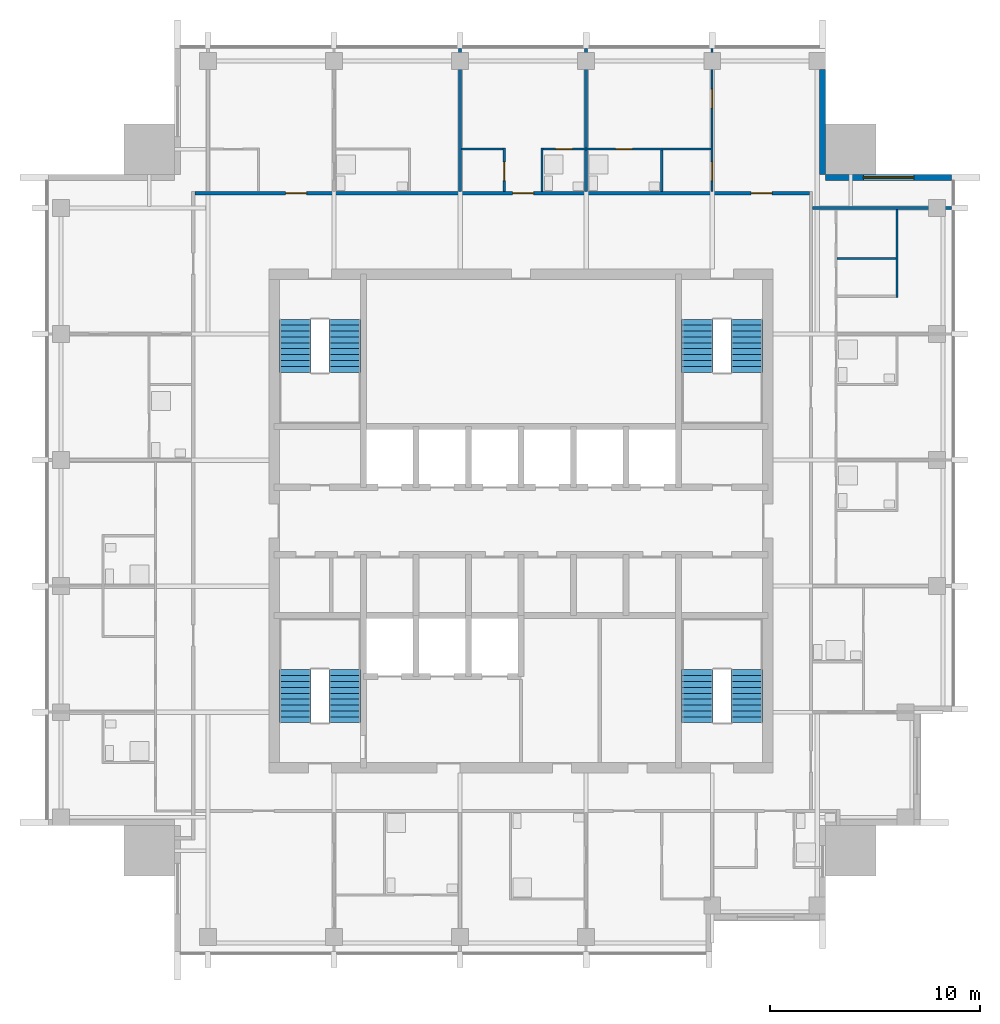
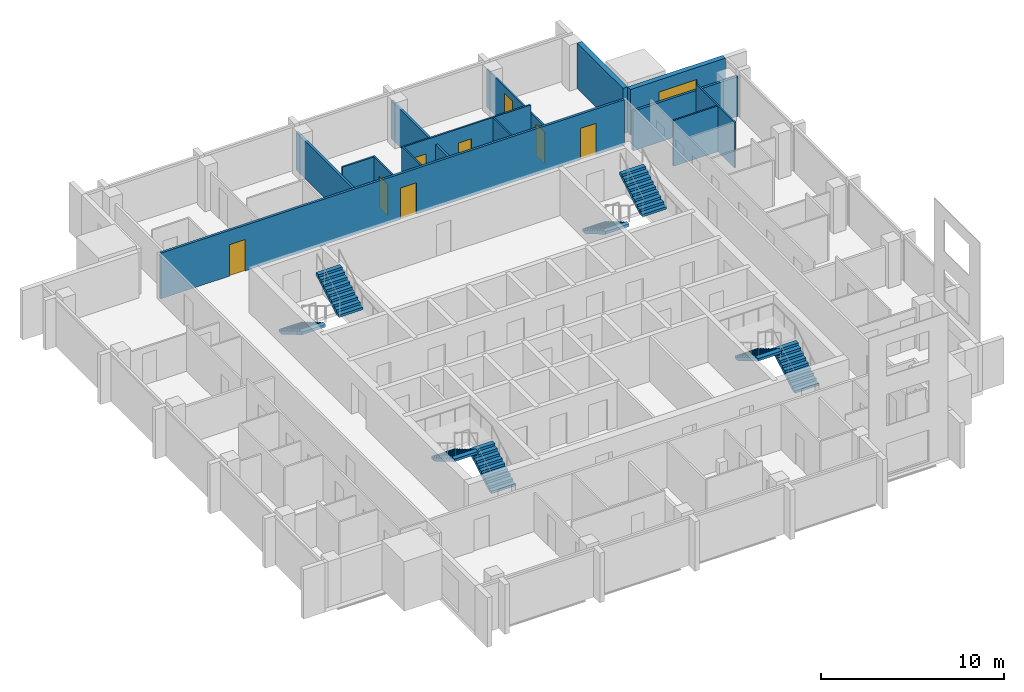
# One storey, part 7 of 9: 14 walls, 8 doors, 8 stair flights, 1 window, 9 openings, 4 elements without a shape of their own.
"""IFC4 building model written with IfcOpenShell, lengths in metres."""

from ifc_helpers import new_model, si_unit, direction, frame, frame_2d, origin, place, context, subcontext, project, spatial, polyline, rectangle, outline, extrude, material, layer, layer_set, type_object, element, fill, aggregate, save


model = new_model("IFC4")

# Units and contexts
model_context = context("Model", 3, precision=1e-05, world=origin(), true_north=direction((0.0, 1.0)))
body_context = subcontext(model_context, "Body", "Model", "MODEL_VIEW")
ifc_project = project(units=[si_unit("LENGTHUNIT", "METRE"), si_unit("AREAUNIT", "SQUARE_METRE"), si_unit("VOLUMEUNIT", "CUBIC_METRE"), si_unit("PLANEANGLEUNIT", "RADIAN"), si_unit("MASSUNIT", "GRAM", prefix="KILO")], contexts=[model_context])

# Site, building, storey
site_placement = place(None, origin())
site = spatial("IfcSite", under=ifc_project, at=site_placement, CompositionType="ELEMENT")
building_placement = place(site_placement, origin())
building = spatial("IfcBuilding", under=site, at=building_placement, Name="Amberfall Residences", CompositionType="ELEMENT")
storey_placement = place(building_placement, frame((0.0, 0.0, 258.699951171875)))
storey = spatial("IfcBuildingStorey", under=building, at=storey_placement, Name="L69", CompositionType="ELEMENT", Elevation=258.699951171875)

# Wall, opening, window
ifc_material_1 = material(Name="Pale stone cladding on insulated backing", Category="masonry")
ifc_layer_1 = layer(ifc_material_1, 0.300048828125)
ifc_layer_set_1 = layer_set([ifc_layer_1], Name="Bronze clad wall 300")
wall_type_1 = type_object("IfcWallType", Name="Bronze clad wall 300", PredefinedType="SOLIDWALL", material=ifc_layer_set_1)
wall_1_placement = place(storey_placement, frame((95.0, 61.85009765625, 0.0), z_axis=(0.0, 0.0, 1.0), x_axis=(-1.0, 0.0, 0.0)))
wall_1 = element("IfcWall", 1, at=wall_1_placement, inside=storey, type_object=wall_type_1, Name="External wall L69 NE", PredefinedType="SOLIDWALL", context=body_context, shape_type="SweptSolid", body=[
    extrude(rectangle(XDim=6.0, YDim=0.300048828125, at=frame_2d((3.0, 0.0))), origin(), (0.0, 0.0, 1.0), 3.050048828125),
])
opening_1_placement = place(wall_1_placement, frame((1.800048828125, 0.0, 0.14990234375)))
opening_1 = element("IfcOpeningElement", 2, at=opening_1_placement, cuts=wall_1, Name="Opening WN5", PredefinedType="OPENING", context=body_context, shape_type="SweptSolid", body=[
    extrude(rectangle(XDim=2.39990234375, YDim=2.10009765625, at=frame_2d((1.199951171875, 1.050048828125))), frame((0.0, 0.159912109375, 0.0), z_axis=(0.0, -1.0, 0.0), x_axis=(1.0, 0.0, 0.0)), (0.0, 0.0, 1.0), 0.320068359375),
])
ifc_material_2 = material(Name="Bronze aluminium framed glazing", Category="aluminium")
window_type = type_object("IfcWindowType", Name="Glazed opening 2400 x 2100 bronze", PartitioningType="DOUBLE_PANEL_VERTICAL", PredefinedType="WINDOW", material=ifc_material_2)
window_placement = place(opening_1_placement, origin())
window = element("IfcWindow", 3, at=window_placement, inside=storey, type_object=window_type, Name="Window L69 NE", OverallHeight=2.10009765625, OverallWidth=2.39990234375, PartitioningType="DOUBLE_PANEL_VERTICAL", PredefinedType="WINDOW", context=body_context, shape_type="SweptSolid", body=[
    extrude(rectangle(XDim=2.39990234375, YDim=2.10009765625, at=frame_2d((1.199951171875, 1.050048828125))), frame((0.0, 0.030029296875, 0.0), z_axis=(0.0, -1.0, 0.0), x_axis=(1.0, 0.0, 0.0)), (0.0, 0.0, 1.0), 0.06005859375),
])
fill(opening_1, window)

# Wall
wall_2_placement = place(storey_placement, frame((88.85009765625, 62.0, 0.0), z_axis=(0.0, 0.0, 1.0), x_axis=(0.0, 1.0, 0.0)))
element("IfcWall", 4, at=wall_2_placement, inside=storey, type_object=wall_type_1, Name="External wall L69 NE", PredefinedType="SOLIDWALL", context=body_context, shape_type="SweptSolid", body=[
    extrude(rectangle(XDim=5.0, YDim=0.300048828125, at=frame_2d((2.5, 0.0))), origin(), (0.0, 0.0, 1.0), 3.050048828125),
])

# Wall, opening, door
ifc_material_3 = material(Name="Gypsum board on metal stud")
ifc_layer_2 = layer(ifc_material_3, 0.10009765625)
ifc_layer_set_2 = layer_set([ifc_layer_2], Name="Flat partition 100")
wall_type_2 = type_object("IfcWallType", Name="Flat partition 100", PredefinedType="PARTITIONING", material=ifc_layer_set_2)
wall_3_placement = place(storey_placement, frame((73.699951171875, 61.175048828125, 0.0), z_axis=(0.0, 0.0, 1.0), x_axis=(0.0, 1.0, 0.0)))
wall_3 = element("IfcWall", 5, at=wall_3_placement, inside=storey, type_object=wall_type_2, Name="Partition 010", PredefinedType="PARTITIONING", context=body_context, shape_type="SweptSolid", body=[
    extrude(rectangle(XDim=2.074951171875, YDim=0.10009765625, at=frame_2d((1.03759765625, 0.0))), origin(), (0.0, 0.0, 1.0), 3.050048828125),
])
opening_2_placement = place(wall_3_placement, frame((0.52490234375, 0.0, 0.0)))
opening_2 = element("IfcOpeningElement", 6, at=opening_2_placement, cuts=wall_3, Name="Opening D41", PredefinedType="OPENING", context=body_context, shape_type="SweptSolid", body=[
    extrude(rectangle(XDim=0.89990234375, YDim=2.10009765625, at=frame_2d((0.449951171875, 1.050048828125))), frame((0.0, 0.06005859375, 0.0), z_axis=(0.0, -1.0, 0.0), x_axis=(1.0, 0.0, 0.0)), (0.0, 0.0, 1.0), 0.1201171875),
])
ifc_material_4 = material(Name="Timber", Category="wood")
door_type_1 = type_object("IfcDoorType", Name="Internal door 900 x 2100", OperationType="SINGLE_SWING_LEFT", PredefinedType="DOOR", material=ifc_material_4)
door_1_placement = place(opening_2_placement, origin())
door_1 = element("IfcDoor", 7, at=door_1_placement, inside=storey, type_object=door_type_1, Name="Door 6907 kitchen", OperationType="SINGLE_SWING_LEFT", OverallHeight=2.10009765625, OverallWidth=0.89990234375, PredefinedType="DOOR", context=body_context, shape_type="SweptSolid", body=[
    extrude(rectangle(XDim=0.89990234375, YDim=2.10009765625, at=frame_2d((0.449951171875, 1.050048828125))), frame((0.0, 0.02490234375, 0.0), z_axis=(0.0, -1.0, 0.0), x_axis=(1.0, 0.0, 0.0)), (0.0, 0.0, 1.0), 0.050048828125),
])
fill(opening_2, door_1)

# Walls
wall_4_placement = place(storey_placement, frame((75.5, 61.175048828125, 0.0), z_axis=(0.0, 0.0, 1.0), x_axis=(0.0, 1.0, 0.0)))
element("IfcWall", 8, at=wall_4_placement, inside=storey, type_object=wall_type_2, Name="Partition 012", PredefinedType="PARTITIONING", context=body_context, shape_type="SweptSolid", body=[
    extrude(rectangle(XDim=2.074951171875, YDim=0.10009765625, at=frame_2d((1.03759765625, 0.0))), origin(), (0.0, 0.0, 1.0), 3.050048828125),
])
wall_5_placement = place(storey_placement, frame((81.199951171875, 61.175048828125, 0.0), z_axis=(0.0, 0.0, 1.0), x_axis=(0.0, 1.0, 0.0)))
element("IfcWall", 9, at=wall_5_placement, inside=storey, type_object=wall_type_2, Name="Partition 015", PredefinedType="PARTITIONING", context=body_context, shape_type="SweptSolid", body=[
    extrude(rectangle(XDim=1.974853515625, YDim=0.10009765625, at=frame_2d((0.9873046875, 0.0))), origin(), (0.0, 0.0, 1.0), 3.050048828125),
])

# Wall, openings, doors
wall_6_placement = place(storey_placement, frame((83.60009765625, 61.175048828125, 0.0), z_axis=(0.0, 0.0, 1.0), x_axis=(0.0, 1.0, 0.0)))
wall_6 = element("IfcWall", 10, at=wall_6_placement, inside=storey, type_object=wall_type_2, Name="Partition 016", PredefinedType="PARTITIONING", context=body_context, shape_type="SweptSolid", body=[
    extrude(rectangle(XDim=6.824951171875, YDim=0.10009765625, at=frame_2d((3.41259765625, 0.0))), origin(), (0.0, 0.0, 1.0), 2.51611328125),
])
opening_3_placement = place(wall_6_placement, frame((0.52490234375, 0.0, 0.0)))
opening_3 = element("IfcOpeningElement", 11, at=opening_3_placement, cuts=wall_6, Name="Opening D41", PredefinedType="OPENING", context=body_context, shape_type="SweptSolid", body=[
    extrude(rectangle(XDim=0.89990234375, YDim=2.10009765625, at=frame_2d((0.449951171875, 1.050048828125))), frame((0.0, 0.06005859375, 0.0), z_axis=(0.0, -1.0, 0.0), x_axis=(1.0, 0.0, 0.0)), (0.0, 0.0, 1.0), 0.1201171875),
])
opening_4_placement = place(wall_6_placement, frame((3.97509765625, 0.0, 0.0)))
opening_4 = element("IfcOpeningElement", 12, at=opening_4_placement, cuts=wall_6, Name="Opening D41", PredefinedType="OPENING", context=body_context, shape_type="SweptSolid", body=[
    extrude(rectangle(XDim=0.89990234375, YDim=2.10009765625, at=frame_2d((0.449951171875, 1.050048828125))), frame((0.0, 0.06005859375, 0.0), z_axis=(0.0, -1.0, 0.0), x_axis=(1.0, 0.0, 0.0)), (0.0, 0.0, 1.0), 0.1201171875),
])
door_2_placement = place(opening_3_placement, origin())
door_2 = element("IfcDoor", 13, at=door_2_placement, inside=storey, type_object=door_type_1, Name="Door 6908 kitchen", OperationType="SINGLE_SWING_LEFT", OverallHeight=2.10009765625, OverallWidth=0.89990234375, PredefinedType="DOOR", context=body_context, shape_type="SweptSolid", body=[
    extrude(rectangle(XDim=0.89990234375, YDim=2.10009765625, at=frame_2d((0.449951171875, 1.050048828125))), frame((0.0, 0.02490234375, 0.0), z_axis=(0.0, -1.0, 0.0), x_axis=(1.0, 0.0, 0.0)), (0.0, 0.0, 1.0), 0.050048828125),
])
fill(opening_3, door_2)
door_3_placement = place(opening_4_placement, origin())
door_3 = element("IfcDoor", 14, at=door_3_placement, inside=storey, type_object=door_type_1, Name="Door 6908 bedroom1", OperationType="SINGLE_SWING_LEFT", OverallHeight=2.10009765625, OverallWidth=0.89990234375, PredefinedType="DOOR", context=body_context, shape_type="SweptSolid", body=[
    extrude(rectangle(XDim=0.89990234375, YDim=2.10009765625, at=frame_2d((0.449951171875, 1.050048828125))), frame((0.0, 0.02490234375, 0.0), z_axis=(0.0, -1.0, 0.0), x_axis=(1.0, 0.0, 0.0)), (0.0, 0.0, 1.0), 0.050048828125),
])
fill(opening_4, door_3)

# Walls
wall_7_placement = place(storey_placement, frame((92.39990234375, 56.14990234375, 0.0), z_axis=(0.0, 0.0, 1.0), x_axis=(0.0, 1.0, 0.0)))
element("IfcWall", 15, at=wall_7_placement, inside=storey, type_object=wall_type_2, Name="Partition 023", PredefinedType="PARTITIONING", context=body_context, shape_type="SweptSolid", body=[
    extrude(rectangle(XDim=4.175048828125, YDim=0.10009765625, at=frame_2d((2.08740234375, 0.0))), origin(), (0.0, 0.0, 1.0), 3.050048828125),
])
wall_8_placement = place(storey_placement, frame((71.675048828125, 63.199951171875, 0.0), z_axis=(0.0, 0.0, 1.0), x_axis=(1.0, 0.0, 0.0)))
element("IfcWall", 16, at=wall_8_placement, inside=storey, type_object=wall_type_2, Name="Partition 026", PredefinedType="PARTITIONING", context=body_context, shape_type="SweptSolid", body=[
    extrude(rectangle(XDim=1.974853515625, YDim=0.10009765625, at=frame_2d((0.9873046875, 0.0))), origin(), (0.0, 0.0, 1.0), 3.050048828125),
])

# Wall, openings, doors
wall_9_placement = place(storey_placement, frame((83.550048828125, 63.199951171875, 0.0), z_axis=(0.0, 0.0, 1.0), x_axis=(-1.0, 0.0, 0.0)))
wall_9 = element("IfcWall", 17, at=wall_9_placement, inside=storey, type_object=wall_type_2, Name="Partition 027", PredefinedType="PARTITIONING", context=body_context, shape_type="SweptSolid", body=[
    extrude(rectangle(XDim=8.0, YDim=0.10009765625, at=frame_2d((4.0, 0.0))), origin(), (0.0, 0.0, 1.0), 3.050048828125),
])
opening_5_placement = place(wall_9_placement, frame((6.60009765625, 0.0, 0.0)))
opening_5 = element("IfcOpeningElement", 18, at=opening_5_placement, cuts=wall_9, Name="Opening D42", PredefinedType="OPENING", context=body_context, shape_type="SweptSolid", body=[
    extrude(rectangle(XDim=0.800048828125, YDim=2.10009765625, at=frame_2d((0.39990234375, 1.050048828125))), frame((0.0, 0.06005859375, 0.0), z_axis=(0.0, -1.0, 0.0), x_axis=(1.0, 0.0, 0.0)), (0.0, 0.0, 1.0), 0.1201171875),
])
opening_6_placement = place(wall_9_placement, frame((3.75, 0.0, 0.0)))
opening_6 = element("IfcOpeningElement", 19, at=opening_6_placement, cuts=wall_9, Name="Opening D42", PredefinedType="OPENING", context=body_context, shape_type="SweptSolid", body=[
    extrude(rectangle(XDim=0.800048828125, YDim=2.10009765625, at=frame_2d((0.39990234375, 1.050048828125))), frame((0.0, 0.06005859375, 0.0), z_axis=(0.0, -1.0, 0.0), x_axis=(1.0, 0.0, 0.0)), (0.0, 0.0, 1.0), 0.1201171875),
])
door_type_2 = type_object("IfcDoorType", Name="Bathroom door 800 x 2100", OperationType="SINGLE_SWING_LEFT", PredefinedType="DOOR", material=ifc_material_4)
door_4_placement = place(opening_5_placement, origin())
door_4 = element("IfcDoor", 20, at=door_4_placement, inside=storey, type_object=door_type_2, Name="Door 6907 bath1", OperationType="SINGLE_SWING_LEFT", OverallHeight=2.10009765625, OverallWidth=0.800048828125, PredefinedType="DOOR", context=body_context, shape_type="SweptSolid", body=[
    extrude(rectangle(XDim=0.800048828125, YDim=2.10009765625, at=frame_2d((0.39990234375, 1.050048828125))), frame((0.0, 0.02490234375, 0.0), z_axis=(0.0, -1.0, 0.0), x_axis=(1.0, 0.0, 0.0)), (0.0, 0.0, 1.0), 0.050048828125),
])
fill(opening_5, door_4)
door_5_placement = place(opening_6_placement, origin())
door_5 = element("IfcDoor", 21, at=door_5_placement, inside=storey, type_object=door_type_2, Name="Door 6908 bath1", OperationType="SINGLE_SWING_LEFT", OverallHeight=2.10009765625, OverallWidth=0.800048828125, PredefinedType="DOOR", context=body_context, shape_type="SweptSolid", body=[
    extrude(rectangle(XDim=0.800048828125, YDim=2.10009765625, at=frame_2d((0.39990234375, 1.050048828125))), frame((0.0, 0.02490234375, 0.0), z_axis=(0.0, -1.0, 0.0), x_axis=(1.0, 0.0, 0.0)), (0.0, 0.0, 1.0), 0.050048828125),
])
fill(opening_6, door_5)

# Walls
wall_10_placement = place(storey_placement, frame((89.550048828125, 58.0, 0.0), z_axis=(0.0, 0.0, 1.0), x_axis=(1.0, 0.0, 0.0)))
element("IfcWall", 22, at=wall_10_placement, inside=storey, type_object=wall_type_2, Name="Partition 028", PredefinedType="PARTITIONING", context=body_context, shape_type="SweptSolid", body=[
    extrude(rectangle(XDim=2.800048828125, YDim=0.10009765625, at=frame_2d((1.39990234375, 0.0))), origin(), (0.0, 0.0, 1.0), 3.050048828125),
])
ifc_material_5 = material(Name="Blockwork, plastered", Category="masonry")
ifc_layer_3 = layer(ifc_material_5, 0.14990234375)
ifc_layer_set_3 = layer_set([ifc_layer_3], Name="Flat separating wall 150")
wall_type_3 = type_object("IfcWallType", Name="Flat separating wall 150", PredefinedType="PARTITIONING", material=ifc_layer_set_3)
for number, where, z_axis, x_axis, name in (
    (23, (71.60009765625, 61.175048828125, 0.0), (0.0, 0.0, 1.0), (0.0, 1.0, 0.0), "Separating wall 052"),
    (24, (77.60009765625, 61.175048828125, 0.0), (0.0, 0.0, 1.0), (0.0, 1.0, 0.0), "Separating wall 053"),
):
    element("IfcWall", number, at=place(storey_placement, frame(where, z_axis=z_axis, x_axis=x_axis)), inside=storey, type_object=wall_type_3, Name=name, PredefinedType="PARTITIONING", context=body_context, shape_type="SweptSolid", body=[
        extrude(rectangle(XDim=6.824951171875, YDim=0.14990234375, at=frame_2d((3.41259765625, 0.0))), origin(), (0.0, 0.0, 1.0), 2.51611328125),
    ])

# Wall, openings, doors
wall_11_placement = place(storey_placement, frame((58.97509765625, 61.10009765625, 0.0), z_axis=(0.0, 0.0, 1.0), x_axis=(1.0, 0.0, 0.0)))
wall_11 = element("IfcWall", 25, at=wall_11_placement, inside=storey, type_object=wall_type_3, Name="Separating wall 057", PredefinedType="PARTITIONING", context=body_context, shape_type="SweptSolid", body=[
    extrude(rectangle(XDim=29.25, YDim=0.14990234375, at=frame_2d((14.625, 0.0))), origin(), (0.0, 0.0, 1.0), 3.050048828125),
])
opening_7_placement = place(wall_11_placement, frame((4.324951171875, 0.0, 0.0)))
opening_7 = element("IfcOpeningElement", 26, at=opening_7_placement, cuts=wall_11, Name="Opening D40", PredefinedType="OPENING", context=body_context, shape_type="SweptSolid", body=[
    extrude(rectangle(XDim=1.0, YDim=2.10009765625, at=frame_2d((0.5, 1.050048828125))), frame((0.0, 0.0849609375, 0.0), z_axis=(0.0, -1.0, 0.0), x_axis=(1.0, 0.0, 0.0)), (0.0, 0.0, 1.0), 0.169921875),
])
opening_8_placement = place(wall_11_placement, frame((15.125, 0.0, 0.0)))
opening_8 = element("IfcOpeningElement", 27, at=opening_8_placement, cuts=wall_11, Name="Opening D40", PredefinedType="OPENING", context=body_context, shape_type="SweptSolid", body=[
    extrude(rectangle(XDim=1.0, YDim=2.10009765625, at=frame_2d((0.5, 1.050048828125))), frame((0.0, 0.0849609375, 0.0), z_axis=(0.0, -1.0, 0.0), x_axis=(1.0, 0.0, 0.0)), (0.0, 0.0, 1.0), 0.169921875),
])
opening_9_placement = place(wall_11_placement, frame((26.47509765625, 0.0, 0.0)))
opening_9 = element("IfcOpeningElement", 28, at=opening_9_placement, cuts=wall_11, Name="Opening D40", PredefinedType="OPENING", context=body_context, shape_type="SweptSolid", body=[
    extrude(rectangle(XDim=1.0, YDim=2.10009765625, at=frame_2d((0.5, 1.050048828125))), frame((0.0, 0.0849609375, 0.0), z_axis=(0.0, -1.0, 0.0), x_axis=(1.0, 0.0, 0.0)), (0.0, 0.0, 1.0), 0.169921875),
])
ifc_material_6 = material(Name="Timber, fire-rated", Category="wood")
door_type_3 = type_object("IfcDoorType", Name="Flat entrance door FD60 1000 x 2100", OperationType="SINGLE_SWING_LEFT", PredefinedType="DOOR", material=ifc_material_6)
door_6_placement = place(opening_7_placement, origin())
door_6 = element("IfcDoor", 29, at=door_6_placement, inside=storey, type_object=door_type_3, Name="Door 6906 entrance", OperationType="SINGLE_SWING_LEFT", OverallHeight=2.10009765625, OverallWidth=1.0, PredefinedType="DOOR", context=body_context, shape_type="SweptSolid", body=[
    extrude(rectangle(XDim=1.0, YDim=2.10009765625, at=frame_2d((0.5, 1.050048828125))), frame((0.0, 0.02490234375, 0.0), z_axis=(0.0, -1.0, 0.0), x_axis=(1.0, 0.0, 0.0)), (0.0, 0.0, 1.0), 0.050048828125),
])
fill(opening_7, door_6)
door_7_placement = place(opening_8_placement, origin())
door_7 = element("IfcDoor", 30, at=door_7_placement, inside=storey, type_object=door_type_3, Name="Door 6907 entrance", OperationType="SINGLE_SWING_LEFT", OverallHeight=2.10009765625, OverallWidth=1.0, PredefinedType="DOOR", context=body_context, shape_type="SweptSolid", body=[
    extrude(rectangle(XDim=1.0, YDim=2.10009765625, at=frame_2d((0.5, 1.050048828125))), frame((0.0, 0.02490234375, 0.0), z_axis=(0.0, -1.0, 0.0), x_axis=(1.0, 0.0, 0.0)), (0.0, 0.0, 1.0), 0.050048828125),
])
fill(opening_8, door_7)
door_8_placement = place(opening_9_placement, origin())
door_8 = element("IfcDoor", 31, at=door_8_placement, inside=storey, type_object=door_type_3, Name="Door 6908 entrance", OperationType="SINGLE_SWING_LEFT", OverallHeight=2.10009765625, OverallWidth=1.0, PredefinedType="DOOR", context=body_context, shape_type="SweptSolid", body=[
    extrude(rectangle(XDim=1.0, YDim=2.10009765625, at=frame_2d((0.5, 1.050048828125))), frame((0.0, 0.02490234375, 0.0), z_axis=(0.0, -1.0, 0.0), x_axis=(1.0, 0.0, 0.0)), (0.0, 0.0, 1.0), 0.050048828125),
])
fill(opening_9, door_8)

# Wall
wall_12_placement = place(storey_placement, frame((88.375, 60.39990234375, 0.0), z_axis=(0.0, 0.0, 1.0), x_axis=(1.0, 0.0, 0.0)))
element("IfcWall", 32, at=wall_12_placement, inside=storey, type_object=wall_type_3, Name="Separating wall 058", PredefinedType="PARTITIONING", context=body_context, shape_type="SweptSolid", body=[
    extrude(rectangle(XDim=6.625, YDim=0.14990234375, at=frame_2d((3.3125, 0.0))), origin(), (0.0, 0.0, 1.0), 2.64697265625),
])

# Stair, stair flights
ifc_material_7 = material(Name="Concrete C40", Category="concrete")
stair_type = type_object("IfcStairType", Name="Exit stair 20 risers 165.0 mm", PredefinedType="HALF_TURN_STAIR", material=ifc_material_7)
stair_1_placement = place(storey_placement, origin())
stair_1 = element("IfcStair", 33, at=stair_1_placement, inside=storey, type_object=stair_type, Name="L69 Exit stair 1", PredefinedType="HALF_TURN_STAIR")
stair_flight_type = type_object("IfcStairFlightType", Name="Stair flight 10 risers 165.0 mm", PredefinedType="STRAIGHT", material=ifc_material_7)
stair_flight_1_placement = place(storey_placement, frame((66.10009765625, 35.89990234375, 0.0), z_axis=(0.0, 0.0, 1.0), x_axis=(0.0, 1.0, 0.0)))
stair_flight_1 = element("IfcStairFlight", 34, at=stair_flight_1_placement, type_object=stair_flight_type, Name="ST3 flight 1", NumberOfRisers=10, NumberOfTreads=9, PredefinedType="STRAIGHT", RiserHeight=0.165, TreadLength=0.28, context=body_context, shape_type="SweptSolid", body=[
    extrude(outline(polyline([(0.0, 0.0), (0.0, 0.1650390625), (0.280029296875, 0.1650390625), (0.280029296875, 0.330078125), (0.56005859375, 0.330078125), (0.56005859375, 0.4951171875), (0.840087890625, 0.4951171875), (0.840087890625, 0.659912109375), (1.1201171875, 0.659912109375), (1.1201171875, 0.824951171875), (1.39990234375, 0.824951171875), (1.39990234375, 0.989990234375), (1.679931640625, 0.989990234375), (1.679931640625, 1.155029296875), (1.9599609375, 1.155029296875), (1.9599609375, 1.320068359375), (2.239990234375, 1.320068359375), (2.239990234375, 1.485107421875), (2.52001953125, 1.485107421875), (2.52001953125, 1.64990234375), (2.52001953125, 1.31103515625), (0.295166015625, 0.0), (0.0, 0.0)])), frame((0.0, 0.75, 0.0), z_axis=(0.0, -1.0, 0.0), x_axis=(1.0, 0.0, 0.0)), (0.0, 0.0, 1.0), 1.5),
])
stair_flight_2_placement = place(storey_placement, frame((63.75, 38.419921875, 1.650146484375), z_axis=(0.0, 0.0, 1.0), x_axis=(0.0, -1.0, 0.0)))
stair_flight_2 = element("IfcStairFlight", 35, at=stair_flight_2_placement, type_object=stair_flight_type, Name="ST3 flight 2", NumberOfRisers=10, NumberOfTreads=9, PredefinedType="STRAIGHT", RiserHeight=0.165, TreadLength=0.28, context=body_context, shape_type="SweptSolid", body=[
    extrude(outline(polyline([(0.0, 0.0), (0.0, 0.1650390625), (0.280029296875, 0.1650390625), (0.280029296875, 0.330078125), (0.56005859375, 0.330078125), (0.56005859375, 0.4951171875), (0.840087890625, 0.4951171875), (0.840087890625, 0.659912109375), (1.1201171875, 0.659912109375), (1.1201171875, 0.824951171875), (1.39990234375, 0.824951171875), (1.39990234375, 0.989990234375), (1.679931640625, 0.989990234375), (1.679931640625, 1.155029296875), (1.9599609375, 1.155029296875), (1.9599609375, 1.320068359375), (2.239990234375, 1.320068359375), (2.239990234375, 1.485107421875), (2.52001953125, 1.485107421875), (2.52001953125, 1.64990234375), (2.52001953125, 1.31103515625), (0.295166015625, 0.0), (0.0, 0.0)])), frame((0.0, 0.75, 0.0), z_axis=(0.0, -1.0, 0.0), x_axis=(1.0, 0.0, 0.0)), (0.0, 0.0, 1.0), 1.5),
])
aggregate(stair_1, [stair_flight_1, stair_flight_2])

stair_2_placement = place(storey_placement, origin())
stair_2 = element("IfcStair", 36, at=stair_2_placement, inside=storey, type_object=stair_type, Name="L69 Exit stair 2", PredefinedType="HALF_TURN_STAIR")
stair_flight_3_placement = place(storey_placement, frame((85.25, 35.89990234375, 0.0), z_axis=(0.0, 0.0, 1.0), x_axis=(0.0, 1.0, 0.0)))
stair_flight_3 = element("IfcStairFlight", 37, at=stair_flight_3_placement, type_object=stair_flight_type, Name="ST3 flight 1", NumberOfRisers=10, NumberOfTreads=9, PredefinedType="STRAIGHT", RiserHeight=0.165, TreadLength=0.28, context=body_context, shape_type="SweptSolid", body=[
    extrude(outline(polyline([(0.0, 0.0), (0.0, 0.1650390625), (0.280029296875, 0.1650390625), (0.280029296875, 0.330078125), (0.56005859375, 0.330078125), (0.56005859375, 0.4951171875), (0.840087890625, 0.4951171875), (0.840087890625, 0.659912109375), (1.1201171875, 0.659912109375), (1.1201171875, 0.824951171875), (1.39990234375, 0.824951171875), (1.39990234375, 0.989990234375), (1.679931640625, 0.989990234375), (1.679931640625, 1.155029296875), (1.9599609375, 1.155029296875), (1.9599609375, 1.320068359375), (2.239990234375, 1.320068359375), (2.239990234375, 1.485107421875), (2.52001953125, 1.485107421875), (2.52001953125, 1.64990234375), (2.52001953125, 1.31103515625), (0.295166015625, 0.0), (0.0, 0.0)])), frame((0.0, 0.75, 0.0), z_axis=(0.0, -1.0, 0.0), x_axis=(1.0, 0.0, 0.0)), (0.0, 0.0, 1.0), 1.5),
])
stair_flight_4_placement = place(storey_placement, frame((82.89990234375, 38.419921875, 1.650146484375), z_axis=(0.0, 0.0, 1.0), x_axis=(0.0, -1.0, 0.0)))
stair_flight_4 = element("IfcStairFlight", 38, at=stair_flight_4_placement, type_object=stair_flight_type, Name="ST3 flight 2", NumberOfRisers=10, NumberOfTreads=9, PredefinedType="STRAIGHT", RiserHeight=0.165, TreadLength=0.28, context=body_context, shape_type="SweptSolid", body=[
    extrude(outline(polyline([(0.0, 0.0), (0.0, 0.1650390625), (0.280029296875, 0.1650390625), (0.280029296875, 0.330078125), (0.56005859375, 0.330078125), (0.56005859375, 0.4951171875), (0.840087890625, 0.4951171875), (0.840087890625, 0.659912109375), (1.1201171875, 0.659912109375), (1.1201171875, 0.824951171875), (1.39990234375, 0.824951171875), (1.39990234375, 0.989990234375), (1.679931640625, 0.989990234375), (1.679931640625, 1.155029296875), (1.9599609375, 1.155029296875), (1.9599609375, 1.320068359375), (2.239990234375, 1.320068359375), (2.239990234375, 1.485107421875), (2.52001953125, 1.485107421875), (2.52001953125, 1.64990234375), (2.52001953125, 1.31103515625), (0.295166015625, 0.0), (0.0, 0.0)])), frame((0.0, 0.75, 0.0), z_axis=(0.0, -1.0, 0.0), x_axis=(1.0, 0.0, 0.0)), (0.0, 0.0, 1.0), 1.5),
])
aggregate(stair_2, [stair_flight_3, stair_flight_4])

stair_3_placement = place(storey_placement, origin())
stair_3 = element("IfcStair", 39, at=stair_3_placement, inside=storey, type_object=stair_type, Name="L69 Exit stair 3", PredefinedType="HALF_TURN_STAIR")
stair_flight_5_placement = place(storey_placement, frame((82.89990234375, 55.10009765625, 0.0), z_axis=(0.0, 0.0, 1.0), x_axis=(0.0, -1.0, 0.0)))
stair_flight_5 = element("IfcStairFlight", 40, at=stair_flight_5_placement, type_object=stair_flight_type, Name="ST3 flight 1", NumberOfRisers=10, NumberOfTreads=9, PredefinedType="STRAIGHT", RiserHeight=0.165, TreadLength=0.28, context=body_context, shape_type="SweptSolid", body=[
    extrude(outline(polyline([(0.0, 0.0), (0.0, 0.1650390625), (0.280029296875, 0.1650390625), (0.280029296875, 0.330078125), (0.56005859375, 0.330078125), (0.56005859375, 0.4951171875), (0.840087890625, 0.4951171875), (0.840087890625, 0.659912109375), (1.1201171875, 0.659912109375), (1.1201171875, 0.824951171875), (1.39990234375, 0.824951171875), (1.39990234375, 0.989990234375), (1.679931640625, 0.989990234375), (1.679931640625, 1.155029296875), (1.9599609375, 1.155029296875), (1.9599609375, 1.320068359375), (2.239990234375, 1.320068359375), (2.239990234375, 1.485107421875), (2.52001953125, 1.485107421875), (2.52001953125, 1.64990234375), (2.52001953125, 1.31103515625), (0.295166015625, 0.0), (0.0, 0.0)])), frame((0.0, 0.75, 0.0), z_axis=(0.0, -1.0, 0.0), x_axis=(1.0, 0.0, 0.0)), (0.0, 0.0, 1.0), 1.5),
])
stair_flight_6_placement = place(storey_placement, frame((85.25, 52.580078125, 1.650146484375), z_axis=(0.0, 0.0, 1.0), x_axis=(0.0, 1.0, 0.0)))
stair_flight_6 = element("IfcStairFlight", 41, at=stair_flight_6_placement, type_object=stair_flight_type, Name="ST3 flight 2", NumberOfRisers=10, NumberOfTreads=9, PredefinedType="STRAIGHT", RiserHeight=0.165, TreadLength=0.28, context=body_context, shape_type="SweptSolid", body=[
    extrude(outline(polyline([(0.0, 0.0), (0.0, 0.1650390625), (0.280029296875, 0.1650390625), (0.280029296875, 0.330078125), (0.56005859375, 0.330078125), (0.56005859375, 0.4951171875), (0.840087890625, 0.4951171875), (0.840087890625, 0.659912109375), (1.1201171875, 0.659912109375), (1.1201171875, 0.824951171875), (1.39990234375, 0.824951171875), (1.39990234375, 0.989990234375), (1.679931640625, 0.989990234375), (1.679931640625, 1.155029296875), (1.9599609375, 1.155029296875), (1.9599609375, 1.320068359375), (2.239990234375, 1.320068359375), (2.239990234375, 1.485107421875), (2.52001953125, 1.485107421875), (2.52001953125, 1.64990234375), (2.52001953125, 1.31103515625), (0.295166015625, 0.0), (0.0, 0.0)])), frame((0.0, 0.75, 0.0), z_axis=(0.0, -1.0, 0.0), x_axis=(1.0, 0.0, 0.0)), (0.0, 0.0, 1.0), 1.5),
])
aggregate(stair_3, [stair_flight_5, stair_flight_6])

stair_4_placement = place(storey_placement, origin())
stair_4 = element("IfcStair", 42, at=stair_4_placement, inside=storey, type_object=stair_type, Name="L69 Exit stair 4", PredefinedType="HALF_TURN_STAIR")
stair_flight_7_placement = place(storey_placement, frame((63.75, 55.10009765625, 0.0), z_axis=(0.0, 0.0, 1.0), x_axis=(0.0, -1.0, 0.0)))
stair_flight_7 = element("IfcStairFlight", 43, at=stair_flight_7_placement, type_object=stair_flight_type, Name="ST3 flight 1", NumberOfRisers=10, NumberOfTreads=9, PredefinedType="STRAIGHT", RiserHeight=0.165, TreadLength=0.28, context=body_context, shape_type="SweptSolid", body=[
    extrude(outline(polyline([(0.0, 0.0), (0.0, 0.1650390625), (0.280029296875, 0.1650390625), (0.280029296875, 0.330078125), (0.56005859375, 0.330078125), (0.56005859375, 0.4951171875), (0.840087890625, 0.4951171875), (0.840087890625, 0.659912109375), (1.1201171875, 0.659912109375), (1.1201171875, 0.824951171875), (1.39990234375, 0.824951171875), (1.39990234375, 0.989990234375), (1.679931640625, 0.989990234375), (1.679931640625, 1.155029296875), (1.9599609375, 1.155029296875), (1.9599609375, 1.320068359375), (2.239990234375, 1.320068359375), (2.239990234375, 1.485107421875), (2.52001953125, 1.485107421875), (2.52001953125, 1.64990234375), (2.52001953125, 1.31103515625), (0.295166015625, 0.0), (0.0, 0.0)])), frame((0.0, 0.75, 0.0), z_axis=(0.0, -1.0, 0.0), x_axis=(1.0, 0.0, 0.0)), (0.0, 0.0, 1.0), 1.5),
])
stair_flight_8_placement = place(storey_placement, frame((66.10009765625, 52.580078125, 1.650146484375), z_axis=(0.0, 0.0, 1.0), x_axis=(0.0, 1.0, 0.0)))
stair_flight_8 = element("IfcStairFlight", 44, at=stair_flight_8_placement, type_object=stair_flight_type, Name="ST3 flight 2", NumberOfRisers=10, NumberOfTreads=9, PredefinedType="STRAIGHT", RiserHeight=0.165, TreadLength=0.28, context=body_context, shape_type="SweptSolid", body=[
    extrude(outline(polyline([(0.0, 0.0), (0.0, 0.1650390625), (0.280029296875, 0.1650390625), (0.280029296875, 0.330078125), (0.56005859375, 0.330078125), (0.56005859375, 0.4951171875), (0.840087890625, 0.4951171875), (0.840087890625, 0.659912109375), (1.1201171875, 0.659912109375), (1.1201171875, 0.824951171875), (1.39990234375, 0.824951171875), (1.39990234375, 0.989990234375), (1.679931640625, 0.989990234375), (1.679931640625, 1.155029296875), (1.9599609375, 1.155029296875), (1.9599609375, 1.320068359375), (2.239990234375, 1.320068359375), (2.239990234375, 1.485107421875), (2.52001953125, 1.485107421875), (2.52001953125, 1.64990234375), (2.52001953125, 1.31103515625), (0.295166015625, 0.0), (0.0, 0.0)])), frame((0.0, 0.75, 0.0), z_axis=(0.0, -1.0, 0.0), x_axis=(1.0, 0.0, 0.0)), (0.0, 0.0, 1.0), 1.5),
])
aggregate(stair_4, [stair_flight_7, stair_flight_8])

save(model, "model.ifc")
